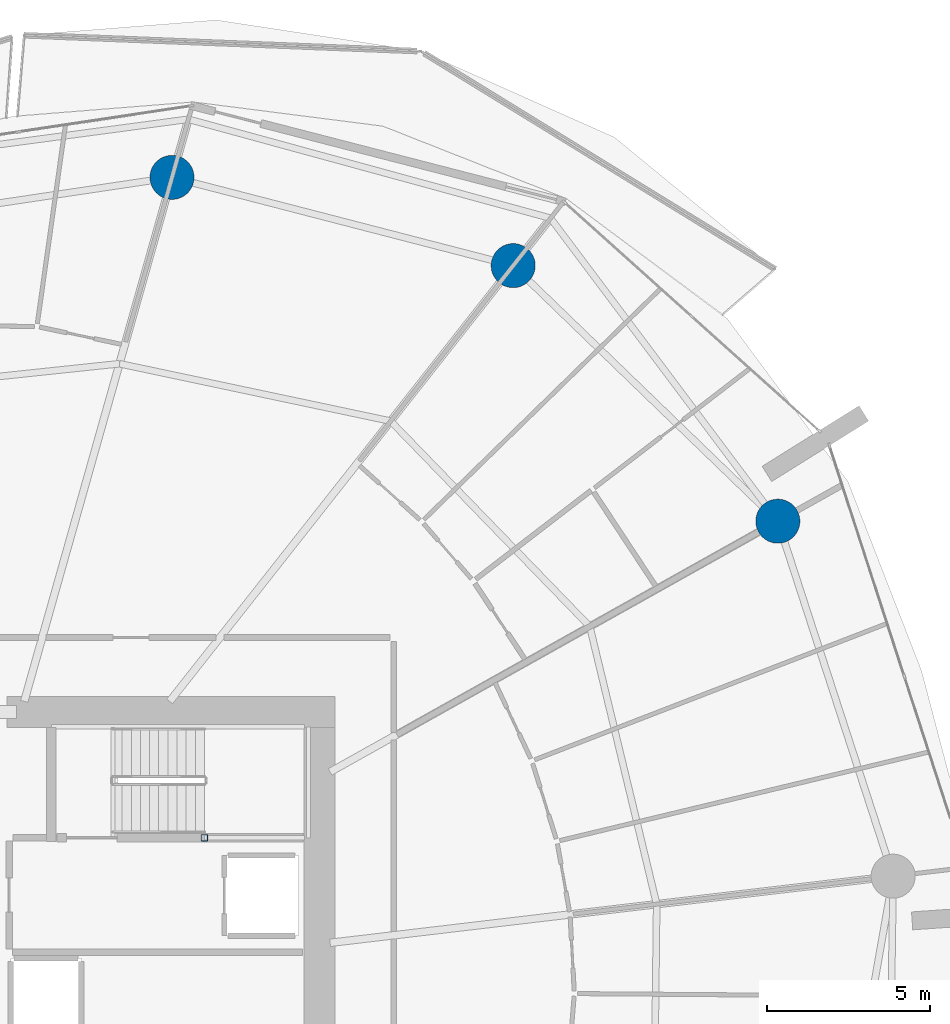
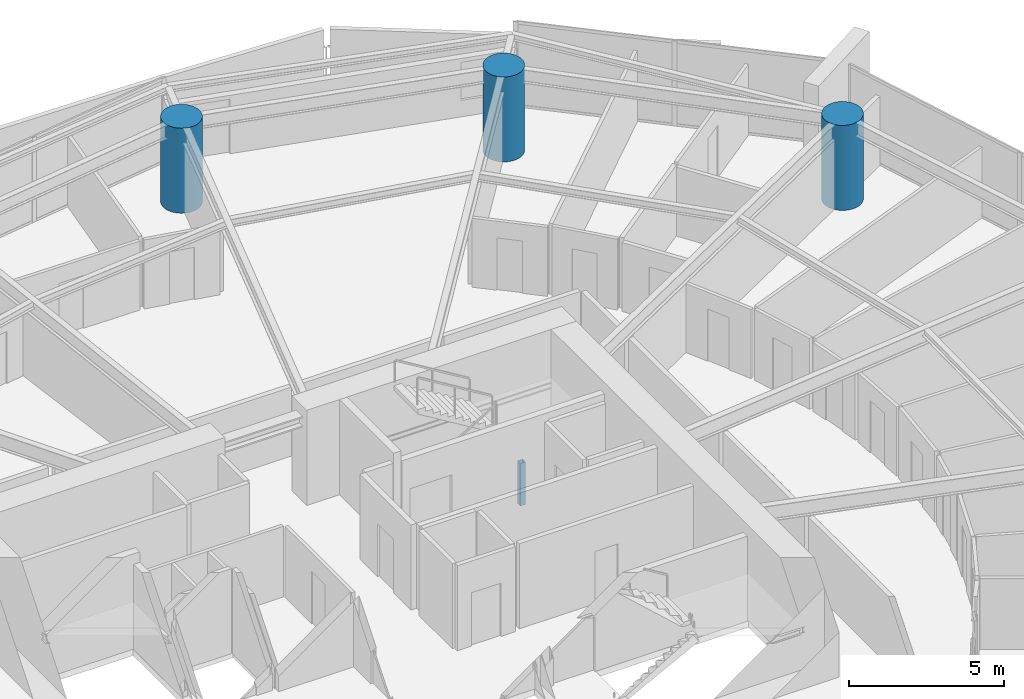
# One storey, part 5 of 31: 4 columns.
"""IFC4 building model written with IfcOpenShell, lengths in metres."""

from ifc_helpers import new_model, si_unit, direction, frame, origin, origin_2d, place, context, subcontext, project, spatial, hollow_rectangle, circle, extrude, material, material_profile, profile_set, type_object, element, save


model = new_model("IFC4")

# Units and contexts
model_context = context("Model", 3, precision=1e-05, world=origin(), true_north=direction((0.0, 1.0)))
body_context = subcontext(model_context, "Body", "Model", "MODEL_VIEW")
ifc_project = project(units=[si_unit("LENGTHUNIT", "METRE"), si_unit("AREAUNIT", "SQUARE_METRE"), si_unit("VOLUMEUNIT", "CUBIC_METRE"), si_unit("PLANEANGLEUNIT", "RADIAN"), si_unit("MASSUNIT", "GRAM", prefix="KILO")], contexts=[model_context])

# Site, building, storey
site_placement = place(None, origin())
site = spatial("IfcSite", under=ifc_project, at=site_placement, CompositionType="ELEMENT")
building_placement = place(site_placement, origin())
building = spatial("IfcBuilding", under=site, at=building_placement, Name="Kazma Halo Residences", CompositionType="ELEMENT")
storey_placement = place(building_placement, frame((0.0, 0.0, 67.64990234375)))
storey = spatial("IfcBuildingStorey", under=building, at=storey_placement, Name="L16", CompositionType="ELEMENT", Elevation=67.64990234375)

# Columns
ifc_material_1 = material(Name="Steel S355", Category="steel")
ifc_material_profile_1 = material_profile(ifc_material_1, hollow_rectangle(XDim=0.199951171875, YDim=0.199951171875, WallThickness=0.010009765625, InnerFilletRadius=0.010009765625, OuterFilletRadius=0.02001953125, at=origin_2d()), Name="SHS200x200x10")
ifc_profile_set_1 = profile_set([ifc_material_profile_1], Name="Steel S355")
column_type_1 = type_object("IfcColumnType", Name="COL-LP-SHS200", PredefinedType="COLUMN", material=ifc_profile_set_1)
column_placement = place(storey_placement, frame((56.0, 46.6201171875, 0.0), z_axis=(0.0, 0.0, 1.0), x_axis=(1.0, 0.0, 0.0)))
element("IfcColumn", 1, at=column_placement, inside=storey, type_object=column_type_1, Name="L16 ST-02 landing pilaster 1", PredefinedType="COLUMN", context=body_context, shape_type="SweptSolid", body=[
    extrude(hollow_rectangle(XDim=0.199951171875, YDim=0.199951171875, WallThickness=0.010009765625, InnerFilletRadius=0.010009765625, OuterFilletRadius=0.02001953125, at=origin_2d()), origin(), (0.0, 0.0, 1.0), 1.670166015625),
])
ifc_material_2 = material(Name="Concrete C80/95", Category="concrete")
ifc_material_profile_2 = material_profile(ifc_material_2, circle(Radius=0.675048828125, at=origin_2d()), Name="CIRC1350")
ifc_profile_set_2 = profile_set([ifc_material_profile_2], Name="Concrete C80/95")
column_type_2 = type_object("IfcColumnType", Name="COL-PERIM-1350", PredefinedType="COLUMN", material=ifc_profile_set_2)
for number, where, z_axis, x_axis, name in (
    (2, (73.56494140625, 56.317138671875, 0.0), (0.0, 0.0, 1.0), (1.0, 0.0, 0.0), "L16 perimeter ring column P01"),
    (3, (65.458251953125, 64.145751953125, 0.0), (0.0, 0.0, 1.0), (1.0, 0.0, 0.0), "L16 perimeter ring column P02"),
    (4, (55.00830078125, 66.849365234375, 0.0), (0.0, 0.0, 1.0), (1.0, 0.0, 0.0), "L16 perimeter ring column P03"),
):
    element("IfcColumn", number, at=place(storey_placement, frame(where, z_axis=z_axis, x_axis=x_axis)), inside=storey, type_object=column_type_2, Name=name, PredefinedType="COLUMN", context=body_context, shape_type="SweptSolid", body=[
        extrude(circle(Radius=0.675048828125, at=origin_2d()), origin(), (0.0, 0.0, 1.0), 3.35009765625),
    ])

save(model, "model.ifc")
